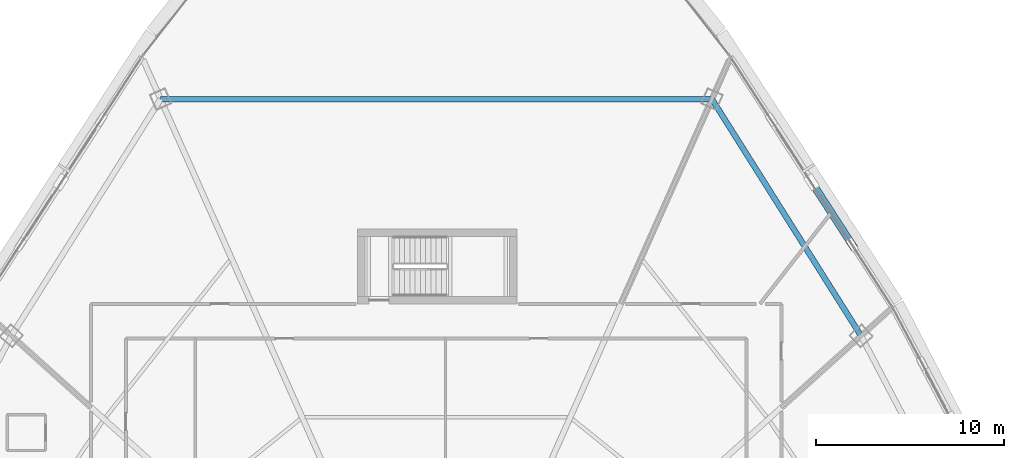
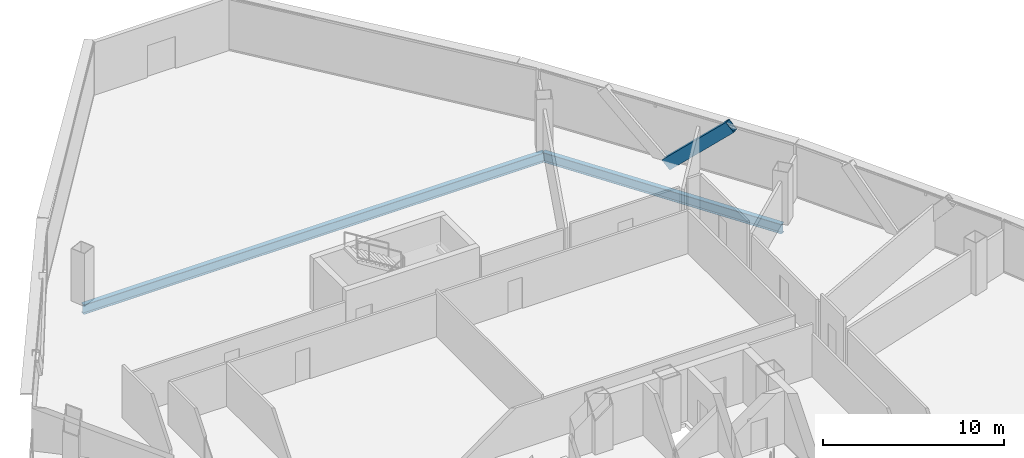
# One storey, part 21 of 40: 2 beams, 1 member.
"""IFC4 building model written with IfcOpenShell, lengths in metres."""

from ifc_helpers import new_model, si_unit, direction, frame, origin, origin_2d, place, context, subcontext, project, spatial, hollow_rectangle, i_section, extrude, source, transform, mapped, material, material_profile, profile_set, type_object, element, save


model = new_model("IFC4")

# Units and contexts
model_context = context("Model", 3, precision=1e-05, world=origin(), true_north=direction((0.0, 1.0)))
body_context = subcontext(model_context, "Body", "Model", "MODEL_VIEW")
ifc_project = project(units=[si_unit("LENGTHUNIT", "METRE"), si_unit("AREAUNIT", "SQUARE_METRE"), si_unit("VOLUMEUNIT", "CUBIC_METRE"), si_unit("PLANEANGLEUNIT", "RADIAN"), si_unit("MASSUNIT", "GRAM", prefix="KILO"), si_unit("THERMODYNAMICTEMPERATUREUNIT", "KELVIN"), si_unit("POWERUNIT", "WATT")], contexts=[model_context])

# Site, building, storey
site_placement = place(None, origin())
site = spatial("IfcSite", under=ifc_project, at=site_placement, CompositionType="ELEMENT")
building_placement = place(site_placement, origin())
building = spatial("IfcBuilding", under=site, at=building_placement, Name="Yunzhuo Pagoda Commons", CompositionType="ELEMENT")
storey_placement = place(building_placement, frame((0.0, 0.0, 184.760009765625)))
storey = spatial("IfcBuildingStorey", under=building, at=storey_placement, Name="L46", CompositionType="ELEMENT", Elevation=184.760009765625)

# Beams
ifc_material = material(Name="Structural steel Q355B", Category="steel")
ifc_material_profile_1 = material_profile(ifc_material, i_section(OverallWidth=0.300048828125, OverallDepth=0.64990234375, WebThickness=0.012939453125, FlangeThickness=0.02197265625, at=origin_2d()), Name="Structural steel Q355B")
ifc_profile_set_1 = profile_set([ifc_material_profile_1], Name="Structural steel Q355B")
beam_type = type_object("IfcBeamType", Name="B-RG2 Beam HN 650x300x13x22", PredefinedType="BEAM", material=ifc_profile_set_1)
shared_shape_1 = source(origin(), body_context, "Body", "SweptSolid", [
    extrude(i_section(OverallWidth=0.300048828125, OverallDepth=0.64990234375, WebThickness=0.012939453125, FlangeThickness=0.02197265625, at=origin_2d()), origin(), (0.0, 0.0, 1.0), 14.916015625),
])
beam_1_placement = place(storey_placement, frame((70.650634765625, 54.0947265625, -0.5849609375), z_axis=(-0.533092374013, 0.846057043449, 0.0), x_axis=(-0.846057043449, -0.533092374013, 0.0)))
element("IfcBeam", 1, at=beam_1_placement, inside=storey, type_object=beam_type, Name="L46 column-ring beam 7", PredefinedType="BEAM", context=body_context, shape_type="MappedRepresentation", body=[
    mapped(shared_shape_1, transform((0.0, 0.0, 0.0), scale=1.0)),
])
shared_shape_2 = source(origin(), body_context, "Body", "SweptSolid", [
    extrude(i_section(OverallWidth=0.300048828125, OverallDepth=0.64990234375, WebThickness=0.012939453125, FlangeThickness=0.02197265625, at=origin_2d()), origin(), (0.0, 0.0, 1.0), 29.39794921875),
])
beam_2_placement = place(storey_placement, frame((62.698974609375, 66.714599609375, -0.5849609375), z_axis=(-1.0, 0.0, 0.0), x_axis=(0.0, -1.0, 0.0)))
element("IfcBeam", 2, at=beam_2_placement, inside=storey, type_object=beam_type, Name="L46 column-ring beam 8", PredefinedType="BEAM", context=body_context, shape_type="MappedRepresentation", body=[
    mapped(shared_shape_2, transform((0.0, 0.0, 0.0), scale=1.0)),
])

# Member
ifc_material_profile_2 = material_profile(ifc_material, hollow_rectangle(XDim=0.39990234375, YDim=0.719970703125, WallThickness=0.02392578125, at=origin_2d()), Name="Structural steel Q355B")
ifc_profile_set_2 = profile_set([ifc_material_profile_2], Name="Structural steel Q355B")
member_type = type_object("IfcMemberType", Name="M-DL2 Brace BOX 720x400x24", PredefinedType="BRACE", material=ifc_profile_set_2)
shared_shape_3 = source(origin(), body_context, "Body", "SweptSolid", [
    extrude(hollow_rectangle(XDim=0.39990234375, YDim=0.719970703125, WallThickness=0.02392578125, at=origin_2d()), origin(), (0.0, 0.0, 1.0), 5.499267578125),
])
member_placement = place(storey_placement, frame((68.017333984375, 62.28662109375, -0.260009765625), z_axis=(0.392638599745, -0.606893900783, 0.691024401293), x_axis=(0.839606407848, 0.543195250256, 0.0)))
element("IfcMember", 3, at=member_placement, inside=storey, type_object=member_type, Name="L46 facade diamond brace F2.3L", PredefinedType="BRACE", context=body_context, shape_type="MappedRepresentation", body=[
    mapped(shared_shape_3, transform((0.0, 0.0, 0.0), scale=1.0)),
])

save(model, "model.ifc")
